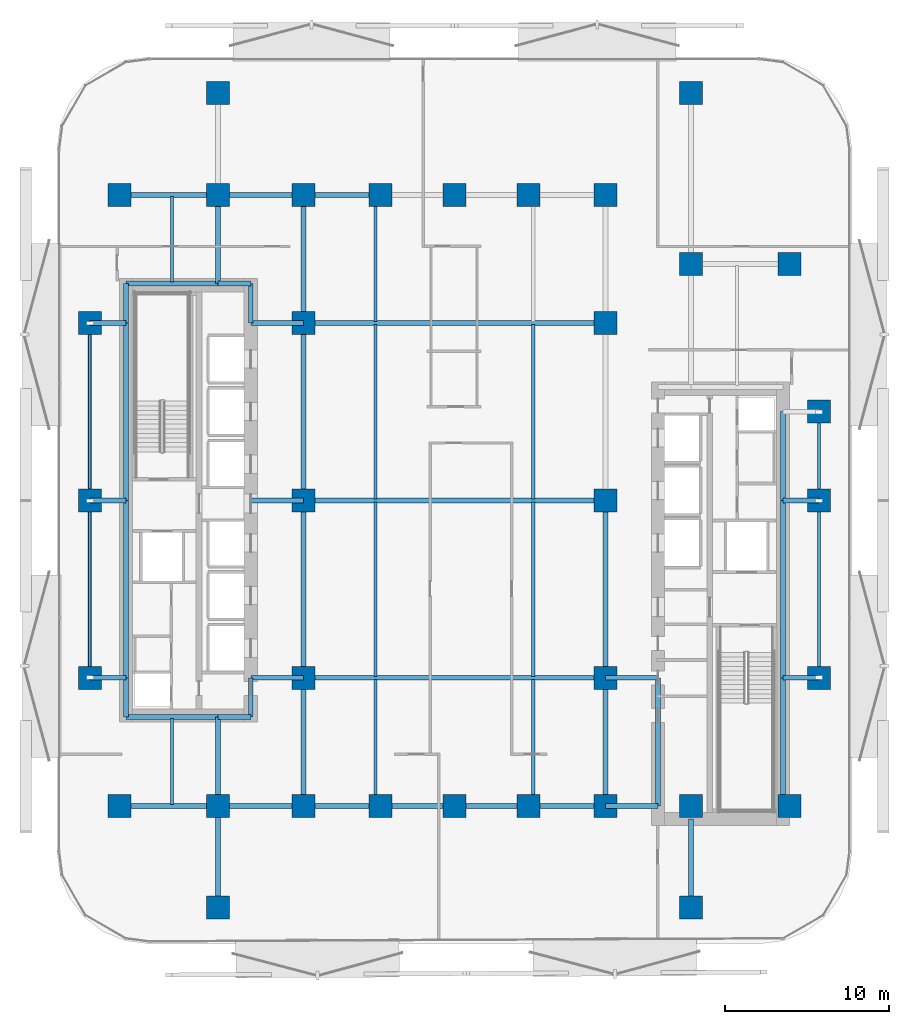
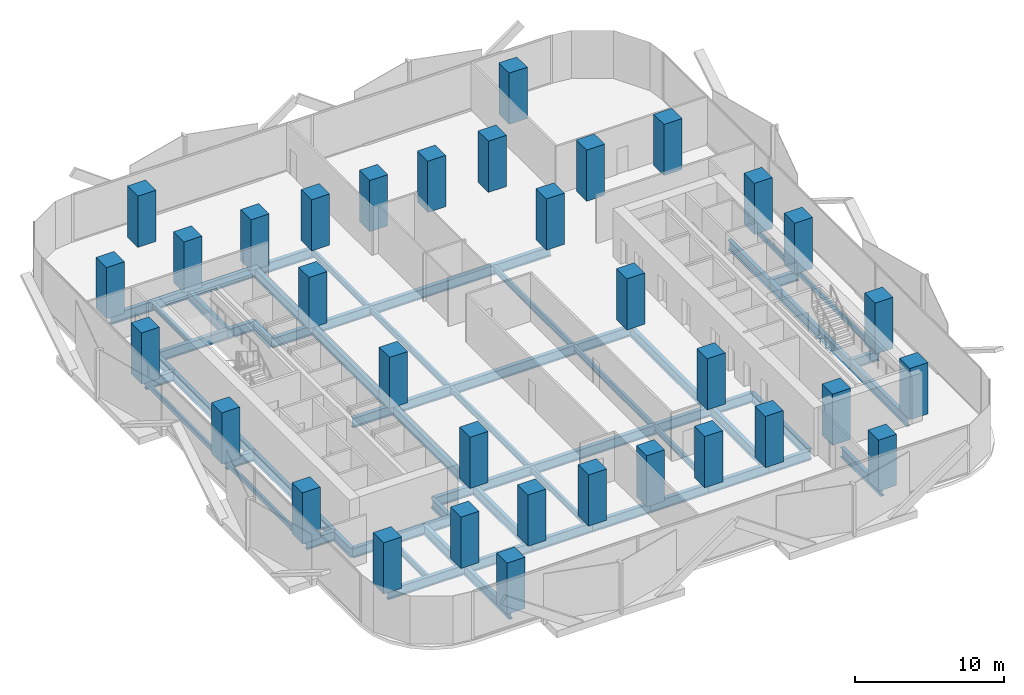
# One storey, part 1 of 15: 59 beams, 34 columns.
"""IFC4 building model written with IfcOpenShell, lengths in metres."""

from ifc_helpers import new_model, si_unit, direction, frame, origin, origin_2d, place, context, subcontext, project, spatial, rectangle, hollow_rectangle, i_section, extrude, material, material_profile, profile_set, type_object, element, save


model = new_model("IFC4")

# Units and contexts
model_context = context("Model", 3, precision=1e-05, world=origin(), true_north=direction((0.0, 1.0)))
body_context = subcontext(model_context, "Body", "Model", "MODEL_VIEW")
ifc_project = project(units=[si_unit("LENGTHUNIT", "METRE"), si_unit("AREAUNIT", "SQUARE_METRE"), si_unit("VOLUMEUNIT", "CUBIC_METRE"), si_unit("PLANEANGLEUNIT", "RADIAN"), si_unit("MASSUNIT", "GRAM", prefix="KILO")], contexts=[model_context])

# Site, building, storey
site_placement = place(None, origin())
site = spatial("IfcSite", under=ifc_project, at=site_placement, CompositionType="ELEMENT")
building_placement = place(site_placement, origin())
building = spatial("IfcBuilding", under=site, at=building_placement, Name="Khairoan Windgate Tower", CompositionType="ELEMENT")
storey_placement = place(building_placement, frame((0.0, 0.0, 59.60009765625)))
storey = spatial("IfcBuildingStorey", under=building, at=storey_placement, Name="L14", CompositionType="ELEMENT", Elevation=59.60009765625)

# Columns
ifc_material_1 = material(Name="Concrete C60/75", Category="concrete")
ifc_material_profile_1 = material_profile(ifc_material_1, rectangle(XDim=1.39990234375, YDim=1.39990234375, at=origin_2d()))
ifc_profile_set_1 = profile_set([ifc_material_profile_1], Name="Concrete C60/75")
column_type = type_object("IfcColumnType", Name="Column C-T2 RC1400x1400", PredefinedType="COLUMN", material=ifc_profile_set_1)
for number, where, z_axis, x_axis, name in (
    (1, (-9.199951171875, -18.60009765625, 0.0), (0.0, 0.0, 1.0), (1.0, 0.0, 0.0), "Column L14-01"),
    (2, (-9.199951171875, -10.800048828125, 0.0), (0.0, 0.0, 1.0), (1.0, 0.0, 0.0), "Column L14-02"),
    (3, (-9.199951171875, 0.0, 0.0), (0.0, 0.0, 1.0), (1.0, 0.0, 0.0), "Column L14-03"),
    (4, (-9.199951171875, 10.800048828125, 0.0), (0.0, 0.0, 1.0), (1.0, 0.0, 0.0), "Column L14-04"),
    (5, (-9.199951171875, 18.60009765625, 0.0), (0.0, 0.0, 1.0), (1.0, 0.0, 0.0), "Column L14-05"),
    (6, (9.199951171875, -18.60009765625, 0.0), (0.0, 0.0, 1.0), (1.0, 0.0, 0.0), "Column L14-06"),
    (7, (9.199951171875, -10.800048828125, 0.0), (0.0, 0.0, 1.0), (1.0, 0.0, 0.0), "Column L14-07"),
    (8, (9.199951171875, 0.0, 0.0), (0.0, 0.0, 1.0), (1.0, 0.0, 0.0), "Column L14-08"),
    (9, (9.199951171875, 10.800048828125, 0.0), (0.0, 0.0, 1.0), (1.0, 0.0, 0.0), "Column L14-09"),
    (10, (9.199951171875, 18.60009765625, 0.0), (0.0, 0.0, 1.0), (1.0, 0.0, 0.0), "Column L14-10"),
    (11, (-20.39990234375, -18.60009765625, 0.0), (0.0, 0.0, 1.0), (1.0, 0.0, 0.0), "Column L14-11"),
    (12, (-20.39990234375, 18.60009765625, 0.0), (0.0, 0.0, 1.0), (1.0, 0.0, 0.0), "Column L14-12"),
    (13, (20.39990234375, -18.60009765625, 0.0), (0.0, 0.0, 1.0), (1.0, 0.0, 0.0), "Column L14-13"),
    (14, (20.39990234375, 14.39990234375, 0.0), (0.0, 0.0, 1.0), (1.0, 0.0, 0.0), "Column L14-14"),
    (15, (-14.39990234375, -18.60009765625, 0.0), (0.0, 0.0, 1.0), (1.0, 0.0, 0.0), "Column L14-15"),
    (16, (-14.39990234375, 18.60009765625, 0.0), (0.0, 0.0, 1.0), (1.0, 0.0, 0.0), "Column L14-16"),
    (17, (14.39990234375, -18.60009765625, 0.0), (0.0, 0.0, 1.0), (1.0, 0.0, 0.0), "Column L14-17"),
    (18, (14.39990234375, 14.39990234375, 0.0), (0.0, 0.0, 1.0), (1.0, 0.0, 0.0), "Column L14-18"),
    (19, (-4.5, -18.60009765625, 0.0), (0.0, 0.0, 1.0), (1.0, 0.0, 0.0), "Column L14-19"),
    (20, (0.0, -18.60009765625, 0.0), (0.0, 0.0, 1.0), (1.0, 0.0, 0.0), "Column L14-20"),
    (21, (4.5, -18.60009765625, 0.0), (0.0, 0.0, 1.0), (1.0, 0.0, 0.0), "Column L14-21"),
    (22, (-4.5, 18.60009765625, 0.0), (0.0, 0.0, 1.0), (1.0, 0.0, 0.0), "Column L14-22"),
    (23, (0.0, 18.60009765625, 0.0), (0.0, 0.0, 1.0), (1.0, 0.0, 0.0), "Column L14-23"),
    (24, (4.5, 18.60009765625, 0.0), (0.0, 0.0, 1.0), (1.0, 0.0, 0.0), "Column L14-24"),
    (25, (-22.199951171875, -10.800048828125, 0.0), (0.0, 0.0, 1.0), (1.0, 0.0, 0.0), "Column L14-25"),
    (26, (-22.199951171875, 0.0, 0.0), (0.0, 0.0, 1.0), (1.0, 0.0, 0.0), "Column L14-26"),
    (27, (-22.199951171875, 10.800048828125, 0.0), (0.0, 0.0, 1.0), (1.0, 0.0, 0.0), "Column L14-27"),
    (28, (22.199951171875, -10.800048828125, 0.0), (0.0, 0.0, 1.0), (1.0, 0.0, 0.0), "Column L14-28"),
    (29, (22.199951171875, 0.0, 0.0), (0.0, 0.0, 1.0), (1.0, 0.0, 0.0), "Column L14-29"),
    (30, (22.199951171875, 5.39990234375, 0.0), (0.0, 0.0, 1.0), (1.0, 0.0, 0.0), "Column L14-30"),
    (31, (-14.39990234375, -24.800048828125, 0.0), (0.0, 0.0, 1.0), (1.0, 0.0, 0.0), "Column L14-31"),
    (32, (-14.39990234375, 24.800048828125, 0.0), (0.0, 0.0, 1.0), (1.0, 0.0, 0.0), "Column L14-32"),
    (33, (14.39990234375, -24.800048828125, 0.0), (0.0, 0.0, 1.0), (1.0, 0.0, 0.0), "Column L14-33"),
    (34, (14.39990234375, 24.800048828125, 0.0), (0.0, 0.0, 1.0), (1.0, 0.0, 0.0), "Column L14-34"),
):
    element("IfcColumn", number, at=place(storey_placement, frame(where, z_axis=z_axis, x_axis=x_axis)), inside=storey, type_object=column_type, Name=name, PredefinedType="COLUMN", context=body_context, shape_type="SweptSolid", body=[
        extrude(rectangle(XDim=1.39990234375, YDim=1.39990234375, at=origin_2d()), origin(), (0.0, 0.0, 1.0), 4.199951171875),
    ])

# Beams
ifc_material_2 = material(Name="Steel S355", Category="steel")
ifc_material_profile_2 = material_profile(ifc_material_2, i_section(OverallWidth=0.300048828125, OverallDepth=0.800048828125, WebThickness=0.013916015625, FlangeThickness=0.02587890625, FilletRadius=0.028076171875, at=origin_2d()))
ifc_profile_set_2 = profile_set([ifc_material_profile_2], Name="Steel S355")
beam_type_1 = type_object("IfcBeamType", Name="Beam B-G2 H800x300x14x26", PredefinedType="BEAM", material=ifc_profile_set_2)
beam_1_placement = place(storey_placement, frame((-20.39990234375, -18.60009765625, -0.66015625), z_axis=(1.0, 0.0, 0.0), x_axis=(0.0, 1.0, 0.0)))
element("IfcBeam", 35, at=beam_1_placement, inside=storey, type_object=beam_type_1, Name="L14 E-W Primary Girder 01", PredefinedType="BEAM", context=body_context, shape_type="SweptSolid", body=[
    extrude(i_section(OverallWidth=0.300048828125, OverallDepth=0.800048828125, WebThickness=0.013916015625, FlangeThickness=0.02587890625, FilletRadius=0.028076171875, at=origin_2d()), origin(), (0.0, 0.0, 1.0), 6.0),
])
beam_2_placement = place(storey_placement, frame((-14.39990234375, -18.60009765625, -0.66015625), z_axis=(1.0, 0.0, 0.0), x_axis=(0.0, 1.0, 0.0)))
element("IfcBeam", 36, at=beam_2_placement, inside=storey, type_object=beam_type_1, Name="L14 E-W Primary Girder 02", PredefinedType="BEAM", context=body_context, shape_type="SweptSolid", body=[
    extrude(i_section(OverallWidth=0.300048828125, OverallDepth=0.800048828125, WebThickness=0.013916015625, FlangeThickness=0.02587890625, FilletRadius=0.028076171875, at=origin_2d()), origin(), (0.0, 0.0, 1.0), 5.199951171875),
])
beam_3_placement = place(storey_placement, frame((-9.199951171875, -18.60009765625, -0.66015625), z_axis=(1.0, 0.0, 0.0), x_axis=(0.0, 1.0, 0.0)))
element("IfcBeam", 37, at=beam_3_placement, inside=storey, type_object=beam_type_1, Name="L14 E-W Primary Girder 03", PredefinedType="BEAM", context=body_context, shape_type="SweptSolid", body=[
    extrude(i_section(OverallWidth=0.300048828125, OverallDepth=0.800048828125, WebThickness=0.013916015625, FlangeThickness=0.02587890625, FilletRadius=0.028076171875, at=origin_2d()), origin(), (0.0, 0.0, 1.0), 4.699951171875),
])
for number, where, z_axis, x_axis, name in (
    (38, (-4.5, -18.60009765625, -0.66015625), (1.0, 0.0, 0.0), (0.0, 1.0, 0.0), "L14 E-W Primary Girder 04"),
    (39, (0.0, -18.60009765625, -0.66015625), (1.0, 0.0, 0.0), (0.0, 1.0, 0.0), "L14 E-W Primary Girder 05"),
):
    element("IfcBeam", number, at=place(storey_placement, frame(where, z_axis=z_axis, x_axis=x_axis)), inside=storey, type_object=beam_type_1, Name=name, PredefinedType="BEAM", context=body_context, shape_type="SweptSolid", body=[
        extrude(i_section(OverallWidth=0.300048828125, OverallDepth=0.800048828125, WebThickness=0.013916015625, FlangeThickness=0.02587890625, FilletRadius=0.028076171875, at=origin_2d()), origin(), (0.0, 0.0, 1.0), 4.5),
    ])
beam_4_placement = place(storey_placement, frame((4.5, -18.60009765625, -0.66015625), z_axis=(1.0, 0.0, 0.0), x_axis=(0.0, 1.0, 0.0)))
element("IfcBeam", 40, at=beam_4_placement, inside=storey, type_object=beam_type_1, Name="L14 E-W Primary Girder 06", PredefinedType="BEAM", context=body_context, shape_type="SweptSolid", body=[
    extrude(i_section(OverallWidth=0.300048828125, OverallDepth=0.800048828125, WebThickness=0.013916015625, FlangeThickness=0.02587890625, FilletRadius=0.028076171875, at=origin_2d()), origin(), (0.0, 0.0, 1.0), 4.699951171875),
])
beam_5_placement = place(storey_placement, frame((9.199951171875, -18.60009765625, -0.66015625), z_axis=(1.0, 0.0, 0.0), x_axis=(0.0, 1.0, 0.0)))
element("IfcBeam", 41, at=beam_5_placement, inside=storey, type_object=beam_type_1, Name="L14 E-W Primary Girder 07", PredefinedType="BEAM", context=body_context, shape_type="SweptSolid", body=[
    extrude(i_section(OverallWidth=0.300048828125, OverallDepth=0.800048828125, WebThickness=0.013916015625, FlangeThickness=0.02587890625, FilletRadius=0.028076171875, at=origin_2d()), origin(), (0.0, 0.0, 1.0), 3.199951171875),
])
beam_6_placement = place(storey_placement, frame((-20.0, -13.199951171875, -0.66015625), z_axis=(1.0, 0.0, 0.0), x_axis=(0.0, 1.0, 0.0)))
element("IfcBeam", 42, at=beam_6_placement, inside=storey, type_object=beam_type_1, Name="L14 E-W Primary Girder 08", PredefinedType="BEAM", context=body_context, shape_type="SweptSolid", body=[
    extrude(i_section(OverallWidth=0.300048828125, OverallDepth=0.800048828125, WebThickness=0.013916015625, FlangeThickness=0.02587890625, FilletRadius=0.028076171875, at=origin_2d()), origin(), (0.0, 0.0, 1.0), 5.60009765625),
])
beam_7_placement = place(storey_placement, frame((-14.39990234375, -13.199951171875, -0.66015625), z_axis=(1.0, 0.0, 0.0), x_axis=(0.0, 1.0, 0.0)))
element("IfcBeam", 43, at=beam_7_placement, inside=storey, type_object=beam_type_1, Name="L14 E-W Primary Girder 09", PredefinedType="BEAM", context=body_context, shape_type="SweptSolid", body=[
    extrude(i_section(OverallWidth=0.300048828125, OverallDepth=0.800048828125, WebThickness=0.013916015625, FlangeThickness=0.02587890625, FilletRadius=0.028076171875, at=origin_2d()), origin(), (0.0, 0.0, 1.0), 2.0),
])
beam_8_placement = place(storey_placement, frame((-22.199951171875, -10.800048828125, -0.66015625), z_axis=(1.0, 0.0, 0.0), x_axis=(0.0, 1.0, 0.0)))
element("IfcBeam", 44, at=beam_8_placement, inside=storey, type_object=beam_type_1, Name="L14 E-W Primary Girder 10", PredefinedType="BEAM", context=body_context, shape_type="SweptSolid", body=[
    extrude(i_section(OverallWidth=0.300048828125, OverallDepth=0.800048828125, WebThickness=0.013916015625, FlangeThickness=0.02587890625, FilletRadius=0.028076171875, at=origin_2d()), origin(), (0.0, 0.0, 1.0), 2.199951171875),
])
beam_9_placement = place(storey_placement, frame((-12.39990234375, -10.800048828125, -0.66015625), z_axis=(1.0, 0.0, 0.0), x_axis=(0.0, 1.0, 0.0)))
element("IfcBeam", 45, at=beam_9_placement, inside=storey, type_object=beam_type_1, Name="L14 E-W Primary Girder 11", PredefinedType="BEAM", context=body_context, shape_type="SweptSolid", body=[
    extrude(i_section(OverallWidth=0.300048828125, OverallDepth=0.800048828125, WebThickness=0.013916015625, FlangeThickness=0.02587890625, FilletRadius=0.028076171875, at=origin_2d()), origin(), (0.0, 0.0, 1.0), 3.199951171875),
])
beam_10_placement = place(storey_placement, frame((-9.199951171875, -10.800048828125, -0.66015625), z_axis=(1.0, 0.0, 0.0), x_axis=(0.0, 1.0, 0.0)))
element("IfcBeam", 46, at=beam_10_placement, inside=storey, type_object=beam_type_1, Name="L14 E-W Primary Girder 12", PredefinedType="BEAM", context=body_context, shape_type="SweptSolid", body=[
    extrude(i_section(OverallWidth=0.300048828125, OverallDepth=0.800048828125, WebThickness=0.013916015625, FlangeThickness=0.02587890625, FilletRadius=0.028076171875, at=origin_2d()), origin(), (0.0, 0.0, 1.0), 18.39990234375),
])
beam_11_placement = place(storey_placement, frame((9.199951171875, -10.800048828125, -0.66015625), z_axis=(1.0, 0.0, 0.0), x_axis=(0.0, 1.0, 0.0)))
element("IfcBeam", 47, at=beam_11_placement, inside=storey, type_object=beam_type_1, Name="L14 E-W Primary Girder 13", PredefinedType="BEAM", context=body_context, shape_type="SweptSolid", body=[
    extrude(i_section(OverallWidth=0.300048828125, OverallDepth=0.800048828125, WebThickness=0.013916015625, FlangeThickness=0.02587890625, FilletRadius=0.028076171875, at=origin_2d()), origin(), (0.0, 0.0, 1.0), 3.199951171875),
])
for number, where, z_axis, x_axis, name in (
    (48, (20.0, -10.800048828125, -0.66015625), (1.0, 0.0, 0.0), (0.0, 1.0, 0.0), "L14 E-W Primary Girder 14"),
    (49, (-22.199951171875, 0.0, -0.66015625), (1.0, 0.0, 0.0), (0.0, 1.0, 0.0), "L14 E-W Primary Girder 15"),
):
    element("IfcBeam", number, at=place(storey_placement, frame(where, z_axis=z_axis, x_axis=x_axis)), inside=storey, type_object=beam_type_1, Name=name, PredefinedType="BEAM", context=body_context, shape_type="SweptSolid", body=[
        extrude(i_section(OverallWidth=0.300048828125, OverallDepth=0.800048828125, WebThickness=0.013916015625, FlangeThickness=0.02587890625, FilletRadius=0.028076171875, at=origin_2d()), origin(), (0.0, 0.0, 1.0), 2.199951171875),
    ])
beam_12_placement = place(storey_placement, frame((-12.39990234375, 0.0, -0.66015625), z_axis=(1.0, 0.0, 0.0), x_axis=(0.0, 1.0, 0.0)))
element("IfcBeam", 50, at=beam_12_placement, inside=storey, type_object=beam_type_1, Name="L14 E-W Primary Girder 16", PredefinedType="BEAM", context=body_context, shape_type="SweptSolid", body=[
    extrude(i_section(OverallWidth=0.300048828125, OverallDepth=0.800048828125, WebThickness=0.013916015625, FlangeThickness=0.02587890625, FilletRadius=0.028076171875, at=origin_2d()), origin(), (0.0, 0.0, 1.0), 3.199951171875),
])
beam_13_placement = place(storey_placement, frame((-9.199951171875, 0.0, -0.66015625), z_axis=(1.0, 0.0, 0.0), x_axis=(0.0, 1.0, 0.0)))
element("IfcBeam", 51, at=beam_13_placement, inside=storey, type_object=beam_type_1, Name="L14 E-W Primary Girder 17", PredefinedType="BEAM", context=body_context, shape_type="SweptSolid", body=[
    extrude(i_section(OverallWidth=0.300048828125, OverallDepth=0.800048828125, WebThickness=0.013916015625, FlangeThickness=0.02587890625, FilletRadius=0.028076171875, at=origin_2d()), origin(), (0.0, 0.0, 1.0), 18.39990234375),
])
for number, where, z_axis, x_axis, name in (
    (52, (20.0, 0.0, -0.66015625), (1.0, 0.0, 0.0), (0.0, 1.0, 0.0), "L14 E-W Primary Girder 18"),
    (53, (-22.199951171875, 10.800048828125, -0.66015625), (1.0, 0.0, 0.0), (0.0, 1.0, 0.0), "L14 E-W Primary Girder 22"),
):
    element("IfcBeam", number, at=place(storey_placement, frame(where, z_axis=z_axis, x_axis=x_axis)), inside=storey, type_object=beam_type_1, Name=name, PredefinedType="BEAM", context=body_context, shape_type="SweptSolid", body=[
        extrude(i_section(OverallWidth=0.300048828125, OverallDepth=0.800048828125, WebThickness=0.013916015625, FlangeThickness=0.02587890625, FilletRadius=0.028076171875, at=origin_2d()), origin(), (0.0, 0.0, 1.0), 2.199951171875),
    ])
beam_14_placement = place(storey_placement, frame((-12.39990234375, 10.800048828125, -0.66015625), z_axis=(1.0, 0.0, 0.0), x_axis=(0.0, 1.0, 0.0)))
element("IfcBeam", 54, at=beam_14_placement, inside=storey, type_object=beam_type_1, Name="L14 E-W Primary Girder 23", PredefinedType="BEAM", context=body_context, shape_type="SweptSolid", body=[
    extrude(i_section(OverallWidth=0.300048828125, OverallDepth=0.800048828125, WebThickness=0.013916015625, FlangeThickness=0.02587890625, FilletRadius=0.028076171875, at=origin_2d()), origin(), (0.0, 0.0, 1.0), 3.199951171875),
])
beam_15_placement = place(storey_placement, frame((-9.199951171875, 10.800048828125, -0.66015625), z_axis=(1.0, 0.0, 0.0), x_axis=(0.0, 1.0, 0.0)))
element("IfcBeam", 55, at=beam_15_placement, inside=storey, type_object=beam_type_1, Name="L14 E-W Primary Girder 24", PredefinedType="BEAM", context=body_context, shape_type="SweptSolid", body=[
    extrude(i_section(OverallWidth=0.300048828125, OverallDepth=0.800048828125, WebThickness=0.013916015625, FlangeThickness=0.02587890625, FilletRadius=0.028076171875, at=origin_2d()), origin(), (0.0, 0.0, 1.0), 18.39990234375),
])
beam_16_placement = place(storey_placement, frame((-20.0, 13.199951171875, -0.66015625), z_axis=(1.0, 0.0, 0.0), x_axis=(0.0, 1.0, 0.0)))
element("IfcBeam", 56, at=beam_16_placement, inside=storey, type_object=beam_type_1, Name="L14 E-W Primary Girder 25", PredefinedType="BEAM", context=body_context, shape_type="SweptSolid", body=[
    extrude(i_section(OverallWidth=0.300048828125, OverallDepth=0.800048828125, WebThickness=0.013916015625, FlangeThickness=0.02587890625, FilletRadius=0.028076171875, at=origin_2d()), origin(), (0.0, 0.0, 1.0), 5.60009765625),
])
beam_17_placement = place(storey_placement, frame((-14.39990234375, 13.199951171875, -0.66015625), z_axis=(1.0, 0.0, 0.0), x_axis=(0.0, 1.0, 0.0)))
element("IfcBeam", 57, at=beam_17_placement, inside=storey, type_object=beam_type_1, Name="L14 E-W Primary Girder 26", PredefinedType="BEAM", context=body_context, shape_type="SweptSolid", body=[
    extrude(i_section(OverallWidth=0.300048828125, OverallDepth=0.800048828125, WebThickness=0.013916015625, FlangeThickness=0.02587890625, FilletRadius=0.028076171875, at=origin_2d()), origin(), (0.0, 0.0, 1.0), 2.0),
])
beam_18_placement = place(storey_placement, frame((-20.39990234375, 18.60009765625, -0.66015625), z_axis=(1.0, 0.0, 0.0), x_axis=(0.0, 1.0, 0.0)))
element("IfcBeam", 58, at=beam_18_placement, inside=storey, type_object=beam_type_1, Name="L14 E-W Primary Girder 28", PredefinedType="BEAM", context=body_context, shape_type="SweptSolid", body=[
    extrude(i_section(OverallWidth=0.300048828125, OverallDepth=0.800048828125, WebThickness=0.013916015625, FlangeThickness=0.02587890625, FilletRadius=0.028076171875, at=origin_2d()), origin(), (0.0, 0.0, 1.0), 6.0),
])
beam_19_placement = place(storey_placement, frame((-14.39990234375, 18.60009765625, -0.66015625), z_axis=(1.0, 0.0, 0.0), x_axis=(0.0, 1.0, 0.0)))
element("IfcBeam", 59, at=beam_19_placement, inside=storey, type_object=beam_type_1, Name="L14 E-W Primary Girder 29", PredefinedType="BEAM", context=body_context, shape_type="SweptSolid", body=[
    extrude(i_section(OverallWidth=0.300048828125, OverallDepth=0.800048828125, WebThickness=0.013916015625, FlangeThickness=0.02587890625, FilletRadius=0.028076171875, at=origin_2d()), origin(), (0.0, 0.0, 1.0), 5.199951171875),
])
beam_20_placement = place(storey_placement, frame((-9.199951171875, 18.60009765625, -0.66015625), z_axis=(1.0, 0.0, 0.0), x_axis=(0.0, 1.0, 0.0)))
element("IfcBeam", 60, at=beam_20_placement, inside=storey, type_object=beam_type_1, Name="L14 E-W Primary Girder 30", PredefinedType="BEAM", context=body_context, shape_type="SweptSolid", body=[
    extrude(i_section(OverallWidth=0.300048828125, OverallDepth=0.800048828125, WebThickness=0.013916015625, FlangeThickness=0.02587890625, FilletRadius=0.028076171875, at=origin_2d()), origin(), (0.0, 0.0, 1.0), 4.699951171875),
])
beam_21_placement = place(storey_placement, frame((-20.0, -13.199951171875, -0.66015625), z_axis=(0.0, 1.0, 0.0), x_axis=(-1.0, 0.0, 0.0)))
element("IfcBeam", 61, at=beam_21_placement, inside=storey, type_object=beam_type_1, Name="L14 N-S Primary Beam 36", PredefinedType="BEAM", context=body_context, shape_type="SweptSolid", body=[
    extrude(i_section(OverallWidth=0.300048828125, OverallDepth=0.800048828125, WebThickness=0.013916015625, FlangeThickness=0.02587890625, FilletRadius=0.028076171875, at=origin_2d()), origin(), (0.0, 0.0, 1.0), 2.39990234375),
])
for number, where, z_axis, x_axis, name in (
    (62, (-20.0, -10.800048828125, -0.66015625), (0.0, 1.0, 0.0), (-1.0, 0.0, 0.0), "L14 N-S Primary Beam 37"),
    (63, (-20.0, 0.0, -0.66015625), (0.0, 1.0, 0.0), (-1.0, 0.0, 0.0), "L14 N-S Primary Beam 38"),
):
    element("IfcBeam", number, at=place(storey_placement, frame(where, z_axis=z_axis, x_axis=x_axis)), inside=storey, type_object=beam_type_1, Name=name, PredefinedType="BEAM", context=body_context, shape_type="SweptSolid", body=[
        extrude(i_section(OverallWidth=0.300048828125, OverallDepth=0.800048828125, WebThickness=0.013916015625, FlangeThickness=0.02587890625, FilletRadius=0.028076171875, at=origin_2d()), origin(), (0.0, 0.0, 1.0), 10.800048828125),
    ])
beam_22_placement = place(storey_placement, frame((-20.0, 10.800048828125, -0.66015625), z_axis=(0.0, 1.0, 0.0), x_axis=(-1.0, 0.0, 0.0)))
element("IfcBeam", 64, at=beam_22_placement, inside=storey, type_object=beam_type_1, Name="L14 N-S Primary Beam 39", PredefinedType="BEAM", context=body_context, shape_type="SweptSolid", body=[
    extrude(i_section(OverallWidth=0.300048828125, OverallDepth=0.800048828125, WebThickness=0.013916015625, FlangeThickness=0.02587890625, FilletRadius=0.028076171875, at=origin_2d()), origin(), (0.0, 0.0, 1.0), 2.39990234375),
])
beam_23_placement = place(storey_placement, frame((-14.39990234375, -24.800048828125, -0.66015625), z_axis=(0.0, 1.0, 0.0), x_axis=(-1.0, 0.0, 0.0)))
element("IfcBeam", 65, at=beam_23_placement, inside=storey, type_object=beam_type_1, Name="L14 N-S Primary Beam 40", PredefinedType="BEAM", context=body_context, shape_type="SweptSolid", body=[
    extrude(i_section(OverallWidth=0.300048828125, OverallDepth=0.800048828125, WebThickness=0.013916015625, FlangeThickness=0.02587890625, FilletRadius=0.028076171875, at=origin_2d()), origin(), (0.0, 0.0, 1.0), 6.199951171875),
])
for number, where, z_axis, x_axis, name in (
    (66, (-14.39990234375, -18.60009765625, -0.66015625), (0.0, 1.0, 0.0), (-1.0, 0.0, 0.0), "L14 N-S Primary Beam 41"),
    (67, (-14.39990234375, 13.199951171875, -0.66015625), (0.0, 1.0, 0.0), (-1.0, 0.0, 0.0), "L14 N-S Primary Beam 42"),
):
    element("IfcBeam", number, at=place(storey_placement, frame(where, z_axis=z_axis, x_axis=x_axis)), inside=storey, type_object=beam_type_1, Name=name, PredefinedType="BEAM", context=body_context, shape_type="SweptSolid", body=[
        extrude(i_section(OverallWidth=0.300048828125, OverallDepth=0.800048828125, WebThickness=0.013916015625, FlangeThickness=0.02587890625, FilletRadius=0.028076171875, at=origin_2d()), origin(), (0.0, 0.0, 1.0), 5.400146484375),
    ])
for number, where, z_axis, x_axis, name in (
    (68, (-12.39990234375, -13.199951171875, -0.66015625), (0.0, 1.0, 0.0), (-1.0, 0.0, 0.0), "L14 N-S Primary Beam 44"),
    (69, (-12.39990234375, 10.800048828125, -0.66015625), (0.0, 1.0, 0.0), (-1.0, 0.0, 0.0), "L14 N-S Primary Beam 45"),
):
    element("IfcBeam", number, at=place(storey_placement, frame(where, z_axis=z_axis, x_axis=x_axis)), inside=storey, type_object=beam_type_1, Name=name, PredefinedType="BEAM", context=body_context, shape_type="SweptSolid", body=[
        extrude(i_section(OverallWidth=0.300048828125, OverallDepth=0.800048828125, WebThickness=0.013916015625, FlangeThickness=0.02587890625, FilletRadius=0.028076171875, at=origin_2d()), origin(), (0.0, 0.0, 1.0), 2.39990234375),
    ])
beam_24_placement = place(storey_placement, frame((-9.199951171875, -18.60009765625, -0.66015625), z_axis=(0.0, 1.0, 0.0), x_axis=(-1.0, 0.0, 0.0)))
element("IfcBeam", 70, at=beam_24_placement, inside=storey, type_object=beam_type_1, Name="L14 N-S Primary Beam 46", PredefinedType="BEAM", context=body_context, shape_type="SweptSolid", body=[
    extrude(i_section(OverallWidth=0.300048828125, OverallDepth=0.800048828125, WebThickness=0.013916015625, FlangeThickness=0.02587890625, FilletRadius=0.028076171875, at=origin_2d()), origin(), (0.0, 0.0, 1.0), 7.800048828125),
])
for number, where, z_axis, x_axis, name in (
    (71, (-9.199951171875, -10.800048828125, -0.66015625), (0.0, 1.0, 0.0), (-1.0, 0.0, 0.0), "L14 N-S Primary Beam 47"),
    (72, (-9.199951171875, 0.0, -0.66015625), (0.0, 1.0, 0.0), (-1.0, 0.0, 0.0), "L14 N-S Primary Beam 48"),
):
    element("IfcBeam", number, at=place(storey_placement, frame(where, z_axis=z_axis, x_axis=x_axis)), inside=storey, type_object=beam_type_1, Name=name, PredefinedType="BEAM", context=body_context, shape_type="SweptSolid", body=[
        extrude(i_section(OverallWidth=0.300048828125, OverallDepth=0.800048828125, WebThickness=0.013916015625, FlangeThickness=0.02587890625, FilletRadius=0.028076171875, at=origin_2d()), origin(), (0.0, 0.0, 1.0), 10.800048828125),
    ])
for number, where, z_axis, x_axis, name in (
    (73, (-9.199951171875, 10.800048828125, -0.66015625), (0.0, 1.0, 0.0), (-1.0, 0.0, 0.0), "L14 N-S Primary Beam 49"),
    (74, (9.199951171875, -18.60009765625, -0.66015625), (0.0, 1.0, 0.0), (-1.0, 0.0, 0.0), "L14 N-S Primary Beam 50"),
):
    element("IfcBeam", number, at=place(storey_placement, frame(where, z_axis=z_axis, x_axis=x_axis)), inside=storey, type_object=beam_type_1, Name=name, PredefinedType="BEAM", context=body_context, shape_type="SweptSolid", body=[
        extrude(i_section(OverallWidth=0.300048828125, OverallDepth=0.800048828125, WebThickness=0.013916015625, FlangeThickness=0.02587890625, FilletRadius=0.028076171875, at=origin_2d()), origin(), (0.0, 0.0, 1.0), 7.800048828125),
    ])
beam_25_placement = place(storey_placement, frame((9.199951171875, -10.800048828125, -0.66015625), z_axis=(0.0, 1.0, 0.0), x_axis=(-1.0, 0.0, 0.0)))
element("IfcBeam", 75, at=beam_25_placement, inside=storey, type_object=beam_type_1, Name="L14 N-S Primary Beam 51", PredefinedType="BEAM", context=body_context, shape_type="SweptSolid", body=[
    extrude(i_section(OverallWidth=0.300048828125, OverallDepth=0.800048828125, WebThickness=0.013916015625, FlangeThickness=0.02587890625, FilletRadius=0.028076171875, at=origin_2d()), origin(), (0.0, 0.0, 1.0), 10.800048828125),
])
beam_26_placement = place(storey_placement, frame((12.39990234375, -18.60009765625, -0.66015625), z_axis=(0.0, 1.0, 0.0), x_axis=(-1.0, 0.0, 0.0)))
element("IfcBeam", 76, at=beam_26_placement, inside=storey, type_object=beam_type_1, Name="L14 N-S Primary Beam 54", PredefinedType="BEAM", context=body_context, shape_type="SweptSolid", body=[
    extrude(i_section(OverallWidth=0.300048828125, OverallDepth=0.800048828125, WebThickness=0.013916015625, FlangeThickness=0.02587890625, FilletRadius=0.028076171875, at=origin_2d()), origin(), (0.0, 0.0, 1.0), 7.800048828125),
])
beam_27_placement = place(storey_placement, frame((14.39990234375, -24.800048828125, -0.66015625), z_axis=(0.0, 1.0, 0.0), x_axis=(-1.0, 0.0, 0.0)))
element("IfcBeam", 77, at=beam_27_placement, inside=storey, type_object=beam_type_1, Name="L14 N-S Primary Beam 55", PredefinedType="BEAM", context=body_context, shape_type="SweptSolid", body=[
    extrude(i_section(OverallWidth=0.300048828125, OverallDepth=0.800048828125, WebThickness=0.013916015625, FlangeThickness=0.02587890625, FilletRadius=0.028076171875, at=origin_2d()), origin(), (0.0, 0.0, 1.0), 5.400146484375),
])
beam_28_placement = place(storey_placement, frame((20.0, -18.60009765625, -0.66015625), z_axis=(0.0, 1.0, 0.0), x_axis=(-1.0, 0.0, 0.0)))
element("IfcBeam", 78, at=beam_28_placement, inside=storey, type_object=beam_type_1, Name="L14 N-S Primary Beam 58", PredefinedType="BEAM", context=body_context, shape_type="SweptSolid", body=[
    extrude(i_section(OverallWidth=0.300048828125, OverallDepth=0.800048828125, WebThickness=0.013916015625, FlangeThickness=0.02587890625, FilletRadius=0.028076171875, at=origin_2d()), origin(), (0.0, 0.0, 1.0), 7.800048828125),
])
beam_29_placement = place(storey_placement, frame((20.0, -10.800048828125, -0.66015625), z_axis=(0.0, 1.0, 0.0), x_axis=(-1.0, 0.0, 0.0)))
element("IfcBeam", 79, at=beam_29_placement, inside=storey, type_object=beam_type_1, Name="L14 N-S Primary Beam 59", PredefinedType="BEAM", context=body_context, shape_type="SweptSolid", body=[
    extrude(i_section(OverallWidth=0.300048828125, OverallDepth=0.800048828125, WebThickness=0.013916015625, FlangeThickness=0.02587890625, FilletRadius=0.028076171875, at=origin_2d()), origin(), (0.0, 0.0, 1.0), 10.800048828125),
])
beam_30_placement = place(storey_placement, frame((20.0, 0.0, -0.66015625), z_axis=(0.0, 1.0, 0.0), x_axis=(-1.0, 0.0, 0.0)))
element("IfcBeam", 80, at=beam_30_placement, inside=storey, type_object=beam_type_1, Name="L14 N-S Primary Beam 60", PredefinedType="BEAM", context=body_context, shape_type="SweptSolid", body=[
    extrude(i_section(OverallWidth=0.300048828125, OverallDepth=0.800048828125, WebThickness=0.013916015625, FlangeThickness=0.02587890625, FilletRadius=0.028076171875, at=origin_2d()), origin(), (0.0, 0.0, 1.0), 5.39990234375),
])
ifc_material_3 = material(Name="Steel S355", Category="steel")
ifc_material_profile_3 = material_profile(ifc_material_3, i_section(OverallWidth=0.199951171875, OverallDepth=0.5, WebThickness=0.010009765625, FlangeThickness=0.01611328125, FilletRadius=0.02001953125, at=origin_2d()))
ifc_profile_set_3 = profile_set([ifc_material_profile_3], Name="Steel S355")
beam_type_2 = type_object("IfcBeamType", Name="Beam J-S2 H500x200x10x16", PredefinedType="JOIST", material=ifc_profile_set_3)
for number, where, z_axis, x_axis, name in (
    (81, (-17.199951171875, -18.510009765625, -0.510009765625), (0.0, 1.0, 0.0), (-1.0, 0.0, 0.0), "L14 Secondary Floor Joist 01"),
    (82, (-17.199951171875, 13.2900390625, -0.510009765625), (0.0, 1.0, 0.0), (-1.0, 0.0, 0.0), "L14 Secondary Floor Joist 02"),
):
    element("IfcBeam", number, at=place(storey_placement, frame(where, z_axis=z_axis, x_axis=x_axis)), inside=storey, type_object=beam_type_2, Name=name, PredefinedType="JOIST", context=body_context, shape_type="SweptSolid", body=[
        extrude(i_section(OverallWidth=0.199951171875, OverallDepth=0.5, WebThickness=0.010009765625, FlangeThickness=0.01611328125, FilletRadius=0.02001953125, at=origin_2d()), origin(), (0.0, 0.0, 1.0), 5.219970703125),
    ])
beam_31_placement = place(storey_placement, frame((-4.800048828125, -18.510009765625, -0.510009765625), z_axis=(0.0, 1.0, 0.0), x_axis=(-1.0, 0.0, 0.0)))
element("IfcBeam", 83, at=beam_31_placement, inside=storey, type_object=beam_type_2, Name="L14 Secondary Floor Joist 03", PredefinedType="JOIST", context=body_context, shape_type="SweptSolid", body=[
    extrude(i_section(OverallWidth=0.199951171875, OverallDepth=0.5, WebThickness=0.010009765625, FlangeThickness=0.01611328125, FilletRadius=0.02001953125, at=origin_2d()), origin(), (0.0, 0.0, 1.0), 7.6201171875),
])
for number, where, z_axis, x_axis, name in (
    (84, (-4.800048828125, -10.7099609375, -0.510009765625), (0.0, 1.0, 0.0), (-1.0, 0.0, 0.0), "L14 Secondary Floor Joist 04"),
    (85, (-4.800048828125, 0.090087890625, -0.510009765625), (0.0, 1.0, 0.0), (-1.0, 0.0, 0.0), "L14 Secondary Floor Joist 05"),
):
    element("IfcBeam", number, at=place(storey_placement, frame(where, z_axis=z_axis, x_axis=x_axis)), inside=storey, type_object=beam_type_2, Name=name, PredefinedType="JOIST", context=body_context, shape_type="SweptSolid", body=[
        extrude(i_section(OverallWidth=0.199951171875, OverallDepth=0.5, WebThickness=0.010009765625, FlangeThickness=0.01611328125, FilletRadius=0.02001953125, at=origin_2d()), origin(), (0.0, 0.0, 1.0), 10.619873046875),
    ])
for number, where, z_axis, x_axis, name in (
    (86, (-4.800048828125, 10.889892578125, -0.510009765625), (0.0, 1.0, 0.0), (-1.0, 0.0, 0.0), "L14 Secondary Floor Joist 06"),
    (87, (4.800048828125, -18.510009765625, -0.510009765625), (0.0, 1.0, 0.0), (-1.0, 0.0, 0.0), "L14 Secondary Floor Joist 07"),
):
    element("IfcBeam", number, at=place(storey_placement, frame(where, z_axis=z_axis, x_axis=x_axis)), inside=storey, type_object=beam_type_2, Name=name, PredefinedType="JOIST", context=body_context, shape_type="SweptSolid", body=[
        extrude(i_section(OverallWidth=0.199951171875, OverallDepth=0.5, WebThickness=0.010009765625, FlangeThickness=0.01611328125, FilletRadius=0.02001953125, at=origin_2d()), origin(), (0.0, 0.0, 1.0), 7.6201171875),
    ])
for number, where, z_axis, x_axis, name in (
    (88, (4.800048828125, -10.7099609375, -0.510009765625), (0.0, 1.0, 0.0), (-1.0, 0.0, 0.0), "L14 Secondary Floor Joist 08"),
    (89, (4.800048828125, 0.090087890625, -0.510009765625), (0.0, 1.0, 0.0), (-1.0, 0.0, 0.0), "L14 Secondary Floor Joist 09"),
):
    element("IfcBeam", number, at=place(storey_placement, frame(where, z_axis=z_axis, x_axis=x_axis)), inside=storey, type_object=beam_type_2, Name=name, PredefinedType="JOIST", context=body_context, shape_type="SweptSolid", body=[
        extrude(i_section(OverallWidth=0.199951171875, OverallDepth=0.5, WebThickness=0.010009765625, FlangeThickness=0.01611328125, FilletRadius=0.02001953125, at=origin_2d()), origin(), (0.0, 0.0, 1.0), 10.619873046875),
    ])
ifc_material_4 = material(Name="Steel S355", Category="steel")
ifc_material_profile_4 = material_profile(ifc_material_4, hollow_rectangle(XDim=0.199951171875, YDim=0.39990234375, WallThickness=0.013916015625, InnerFilletRadius=0.013916015625, OuterFilletRadius=0.028076171875, at=origin_2d()))
ifc_profile_set_4 = profile_set([ifc_material_profile_4], Name="Steel S355")
beam_type_3 = type_object("IfcBeamType", Name="Beam SP-B1 RHS400x200x14", PredefinedType="SPANDREL", material=ifc_profile_set_4)
for number, where, z_axis, x_axis, name in (
    (90, (-22.199951171875, -10.800048828125, -0.460205078125), (0.0, 1.0, 0.0), (-1.0, 0.0, 0.0), "L14 Spandrel Beam 34"),
    (91, (-22.199951171875, 0.0, -0.460205078125), (0.0, 1.0, 0.0), (-1.0, 0.0, 0.0), "L14 Spandrel Beam 35"),
    (92, (22.199951171875, -10.800048828125, -0.460205078125), (0.0, 1.0, 0.0), (-1.0, 0.0, 0.0), "L14 Spandrel Beam 61"),
):
    element("IfcBeam", number, at=place(storey_placement, frame(where, z_axis=z_axis, x_axis=x_axis)), inside=storey, type_object=beam_type_3, Name=name, PredefinedType="SPANDREL", context=body_context, shape_type="SweptSolid", body=[
        extrude(hollow_rectangle(XDim=0.199951171875, YDim=0.39990234375, WallThickness=0.013916015625, InnerFilletRadius=0.013916015625, OuterFilletRadius=0.028076171875, at=origin_2d()), origin(), (0.0, 0.0, 1.0), 10.800048828125),
    ])
beam_32_placement = place(storey_placement, frame((22.199951171875, 0.0, -0.460205078125), z_axis=(0.0, 1.0, 0.0), x_axis=(-1.0, 0.0, 0.0)))
element("IfcBeam", 93, at=beam_32_placement, inside=storey, type_object=beam_type_3, Name="L14 Spandrel Beam 62", PredefinedType="SPANDREL", context=body_context, shape_type="SweptSolid", body=[
    extrude(hollow_rectangle(XDim=0.199951171875, YDim=0.39990234375, WallThickness=0.013916015625, InnerFilletRadius=0.013916015625, OuterFilletRadius=0.028076171875, at=origin_2d()), origin(), (0.0, 0.0, 1.0), 5.39990234375),
])

save(model, "model.ifc")
